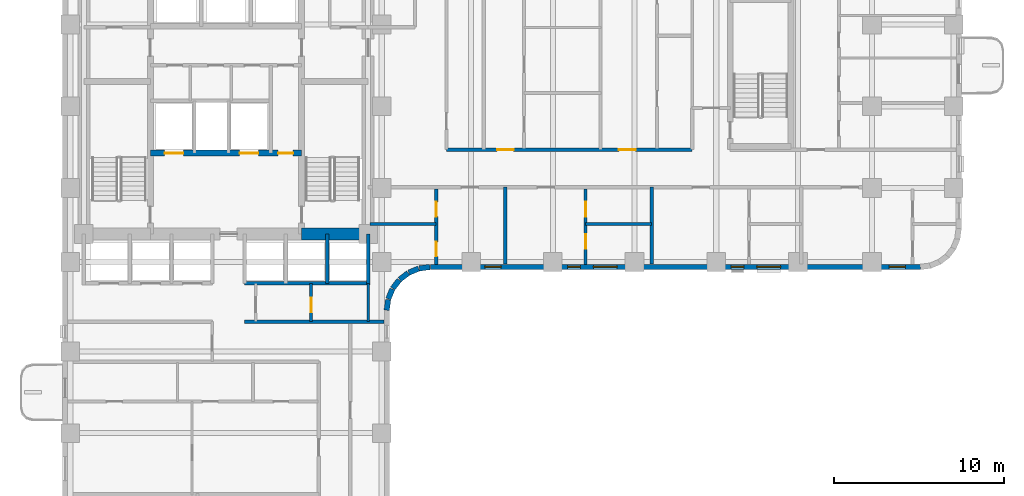
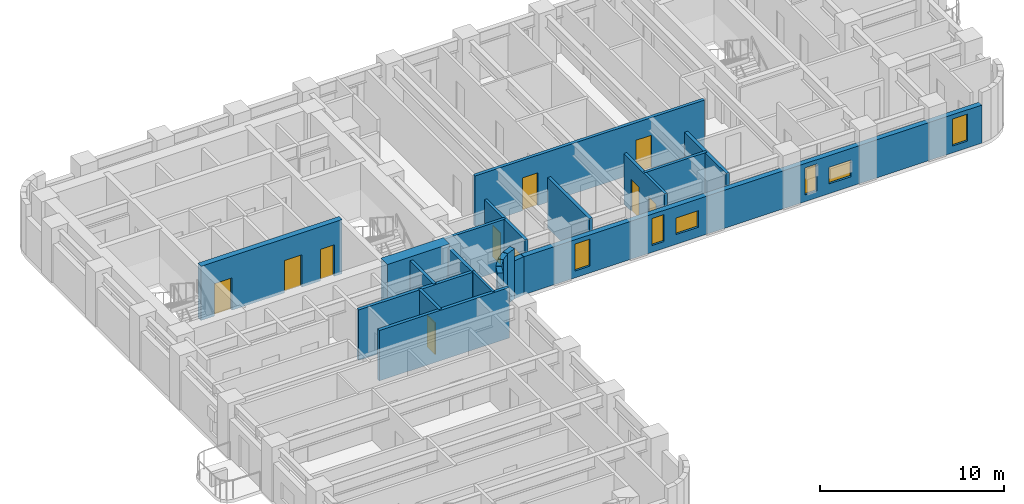
# One storey, part 4 of 11: 22 walls, 10 doors, 6 windows, 16 openings.
"""IFC4 building model written with IfcOpenShell, lengths in metres."""

from ifc_helpers import new_model, si_unit, direction, frame, frame_2d, origin, place, context, subcontext, project, spatial, rectangle, extrude, material, layer, layer_set, type_object, element, fill, save


model = new_model("IFC4")

# Units and contexts
model_context = context("Model", 3, precision=1e-05, world=origin(), true_north=direction((0.0, 1.0)))
body_context = subcontext(model_context, "Body", "Model", "MODEL_VIEW")
ifc_project = project(units=[si_unit("LENGTHUNIT", "METRE"), si_unit("AREAUNIT", "SQUARE_METRE"), si_unit("VOLUMEUNIT", "CUBIC_METRE"), si_unit("PLANEANGLEUNIT", "RADIAN"), si_unit("MASSUNIT", "GRAM", prefix="KILO")], contexts=[model_context])

# Site, building, storey
site_placement = place(None, origin())
site = spatial("IfcSite", under=ifc_project, at=site_placement, CompositionType="ELEMENT")
building_placement = place(site_placement, origin())
building = spatial("IfcBuilding", under=site, at=building_placement, Name="Orvandelia Arch Residences", CompositionType="ELEMENT")
storey_placement = place(building_placement, frame((0.0, 0.0, 82.60009765625)))
storey = spatial("IfcBuildingStorey", under=building, at=storey_placement, Name="L21", CompositionType="ELEMENT", Elevation=82.60009765625)

# Wall, openings, doors
ifc_material_1 = material(Name="Concrete C50/60", Category="concrete")
ifc_layer_1 = layer(ifc_material_1, 0.35009765625, Name="Concrete C50/60", Category="concrete")
ifc_layer_set_1 = layer_set([ifc_layer_1], Name="Concrete C50/60")
wall_type_1 = type_object("IfcWallType", Name="WL-CORE-350", PredefinedType="SHEAR", material=ifc_layer_set_1)
wall_1_placement = place(storey_placement, frame((9.9599609375, 35.64990234375, 0.0), z_axis=(0.0, 0.0, 1.0), x_axis=(1.0, 0.0, 0.0)))
wall_1 = element("IfcWall", 1, at=wall_1_placement, inside=storey, type_object=wall_type_1, Name="Core Shear Wall L21-HZ3", PredefinedType="SHEAR", context=body_context, shape_type="SweptSolid", body=[
    extrude(rectangle(XDim=8.880126953125, YDim=0.35009765625, at=frame_2d((4.43994140625, 0.0))), origin(), (0.0, 0.0, 1.0), 3.599853515625),
])
opening_1_placement = place(wall_1_placement, frame((0.840087890625, 0.0, 0.0)))
opening_1 = element("IfcOpeningElement", 2, at=opening_1_placement, cuts=wall_1, Name="Opening FLD", PredefinedType="OPENING", context=body_context, shape_type="SweptSolid", body=[
    extrude(rectangle(XDim=1.10009765625, YDim=2.14990234375, at=frame_2d((0.550048828125, 1.074951171875))), frame((0.0, 0.18505859375, 0.0), z_axis=(0.0, -1.0, 0.0), x_axis=(1.0, 0.0, 0.0)), (0.0, 0.0, 1.0), 0.3701171875),
])
opening_2_placement = place(wall_1_placement, frame((5.239990234375, 0.0, 0.0)))
opening_2 = element("IfcOpeningElement", 3, at=opening_2_placement, cuts=wall_1, Name="Opening FLD", PredefinedType="OPENING", context=body_context, shape_type="SweptSolid", body=[
    extrude(rectangle(XDim=1.10009765625, YDim=2.14990234375, at=frame_2d((0.550048828125, 1.074951171875))), frame((0.0, 0.18505859375, 0.0), z_axis=(0.0, -1.0, 0.0), x_axis=(1.0, 0.0, 0.0)), (0.0, 0.0, 1.0), 0.3701171875),
])
opening_3_placement = place(wall_1_placement, frame((7.5, 0.0, 0.0)))
opening_3 = element("IfcOpeningElement", 4, at=opening_3_placement, cuts=wall_1, Name="Opening D5", PredefinedType="OPENING", context=body_context, shape_type="SweptSolid", body=[
    extrude(rectangle(XDim=0.8798828125, YDim=2.10009765625, at=frame_2d((0.43994140625, 1.050048828125))), frame((0.0, 0.18505859375, 0.0), z_axis=(0.0, -1.0, 0.0), x_axis=(1.0, 0.0, 0.0)), (0.0, 0.0, 1.0), 0.3701171875),
])
ifc_material_2 = material(Name="Firefighting Lift Stainless Sliding Door")
door_type_1 = type_object("IfcDoorType", Name="DR-FLFT-1100", OperationType="NOTDEFINED", PredefinedType="DOOR", material=ifc_material_2)
door_1_placement = place(opening_1_placement, origin())
door_1 = element("IfcDoor", 5, at=door_1_placement, inside=storey, type_object=door_type_1, Name="Firefighting Lift Landing Door FLD-FL1-L21", OperationType="SLIDING_TO_LEFT", OverallHeight=2.14990234375, OverallWidth=1.10009765625, PredefinedType="DOOR", context=body_context, shape_type="SweptSolid", body=[
    extrude(rectangle(XDim=1.10009765625, YDim=2.14990234375, at=frame_2d((0.550048828125, 1.074951171875))), frame((0.0, 0.02490234375, 0.0), z_axis=(0.0, -1.0, 0.0), x_axis=(1.0, 0.0, 0.0)), (0.0, 0.0, 1.0), 0.050048828125),
])
fill(opening_1, door_1)
door_2_placement = place(opening_2_placement, origin())
door_2 = element("IfcDoor", 6, at=door_2_placement, inside=storey, type_object=door_type_1, Name="Firefighting Lift Landing Door FLD-FL2-L21", OperationType="SLIDING_TO_RIGHT", OverallHeight=2.14990234375, OverallWidth=1.10009765625, PredefinedType="DOOR", context=body_context, shape_type="SweptSolid", body=[
    extrude(rectangle(XDim=1.10009765625, YDim=2.14990234375, at=frame_2d((0.550048828125, 1.074951171875))), frame((0.0, 0.02490234375, 0.0), z_axis=(0.0, -1.0, 0.0), x_axis=(1.0, 0.0, 0.0)), (0.0, 0.0, 1.0), 0.050048828125),
])
fill(opening_2, door_2)
ifc_material_3 = material(Name="Painted Galvanised Steel Service Door", Category="steel")
door_type_2 = type_object("IfcDoorType", Name="DR-SRV-880", OperationType="NOTDEFINED", PredefinedType="DOOR", material=ifc_material_3)
door_3_placement = place(opening_3_placement, origin())
door_3 = element("IfcDoor", 7, at=door_3_placement, inside=storey, type_object=door_type_2, Name="Core Stairway Passage South Fire Door L21", OperationType="SINGLE_SWING_LEFT", OverallHeight=2.10009765625, OverallWidth=0.8798828125, PredefinedType="DOOR", context=body_context, shape_type="SweptSolid", body=[
    extrude(rectangle(XDim=0.8798828125, YDim=2.10009765625, at=frame_2d((0.43994140625, 1.050048828125))), frame((0.0, 0.02490234375, 0.0), z_axis=(0.0, -1.0, 0.0), x_axis=(1.0, 0.0, 0.0)), (0.0, 0.0, 1.0), 0.050048828125),
])
fill(opening_3, door_3)

# Walls
ifc_material_4 = material(Name="Concrete C80/95", Category="concrete")
ifc_layer_2 = layer(ifc_material_4, 0.699951171875, Name="Concrete C80/95", Category="concrete")
ifc_layer_set_2 = layer_set([ifc_layer_2], Name="Concrete C80/95")
wall_type_2 = type_object("IfcWallType", Name="WL-CORE-700", PredefinedType="SHEAR", material=ifc_layer_set_2)
wall_2_placement = place(storey_placement, frame((18.840087890625, 30.89990234375, 0.0), z_axis=(0.0, 0.0, 1.0), x_axis=(1.0, 0.0, 0.0)))
element("IfcWall", 8, at=wall_2_placement, inside=storey, type_object=wall_type_2, Name="Core Shear Wall L21-SE", PredefinedType="SHEAR", context=body_context, shape_type="SweptSolid", body=[
    extrude(rectangle(XDim=3.909912109375, YDim=0.699951171875, at=frame_2d((1.955078125, 0.0))), origin(), (0.0, 0.0, 1.0), 3.599853515625),
])
ifc_material_5 = material(Name="Fire-Rated Corridor Partition")
ifc_layer_3 = layer(ifc_material_5, 0.199951171875, Name="Fire-Rated Corridor Partition")
ifc_layer_set_3 = layer_set([ifc_layer_3], Name="Fire-Rated Corridor Partition")
wall_type_3 = type_object("IfcWallType", Name="WL-CORR-200", PredefinedType="PARTITIONING", material=ifc_layer_set_3)
wall_3_placement = place(storey_placement, frame((15.5, 25.75, 0.0), z_axis=(0.0, 0.0, 1.0), x_axis=(1.0, 0.0, 0.0)))
element("IfcWall", 9, at=wall_3_placement, inside=storey, type_object=wall_type_3, Name="Interior Partition Wall WL-L21-WLNK-NE", PredefinedType="PARTITIONING", context=body_context, shape_type="SweptSolid", body=[
    extrude(rectangle(XDim=8.179931640625, YDim=0.199951171875, at=frame_2d((4.08984375, 0.0))), origin(), (0.0, 0.0, 1.0), 3.349853515625),
])

# Wall, openings, doors
wall_4_placement = place(storey_placement, frame((27.35009765625, 35.85009765625, 0.0), z_axis=(0.0, 0.0, 1.0), x_axis=(1.0, 0.0, 0.0)))
wall_4 = element("IfcWall", 10, at=wall_4_placement, inside=storey, type_object=wall_type_3, Name="Interior Partition Wall WL-L21-ES-N1", PredefinedType="PARTITIONING", context=body_context, shape_type="SweptSolid", body=[
    extrude(rectangle(XDim=14.429931640625, YDim=0.199951171875, at=frame_2d((7.21484375, 0.0))), origin(), (0.0, 0.0, 1.0), 3.349853515625),
])
opening_4_placement = place(wall_4_placement, frame((2.969970703125, 0.0, 0.0)))
opening_4 = element("IfcOpeningElement", 11, at=opening_4_placement, cuts=wall_4, Name="Opening D1", PredefinedType="OPENING", context=body_context, shape_type="SweptSolid", body=[
    extrude(rectangle(XDim=0.97998046875, YDim=2.179931640625, at=frame_2d((0.489990234375, 1.08984375))), frame((0.0, 0.10986328125, 0.0), z_axis=(0.0, -1.0, 0.0), x_axis=(1.0, 0.0, 0.0)), (0.0, 0.0, 1.0), 0.219970703125),
])
opening_5_placement = place(wall_4_placement, frame((10.125, 0.0, 0.0)))
opening_5 = element("IfcOpeningElement", 12, at=opening_5_placement, cuts=wall_4, Name="Opening D1", PredefinedType="OPENING", context=body_context, shape_type="SweptSolid", body=[
    extrude(rectangle(XDim=0.97998046875, YDim=2.179931640625, at=frame_2d((0.489990234375, 1.08984375))), frame((0.0, 0.10986328125, 0.0), z_axis=(0.0, -1.0, 0.0), x_axis=(1.0, 0.0, 0.0)), (0.0, 0.0, 1.0), 0.219970703125),
])
ifc_material_6 = material(Name="Solid-Core Timber Acoustic Fire Door", Category="wood")
door_type_3 = type_object("IfcDoorType", Name="DR-ENT-980", OperationType="NOTDEFINED", PredefinedType="DOOR", material=ifc_material_6)
door_4_placement = place(opening_4_placement, origin())
door_4 = element("IfcDoor", 13, at=door_4_placement, inside=storey, type_object=door_type_3, Name="Unit L21-08 Entrance Door", OperationType="SINGLE_SWING_RIGHT", OverallHeight=2.179931640625, OverallWidth=0.97998046875, PredefinedType="DOOR", context=body_context, shape_type="SweptSolid", body=[
    extrude(rectangle(XDim=0.97998046875, YDim=2.179931640625, at=frame_2d((0.489990234375, 1.08984375))), frame((0.0, 0.02490234375, 0.0), z_axis=(0.0, -1.0, 0.0), x_axis=(1.0, 0.0, 0.0)), (0.0, 0.0, 1.0), 0.050048828125),
])
fill(opening_4, door_4)
door_5_placement = place(opening_5_placement, origin())
door_5 = element("IfcDoor", 14, at=door_5_placement, inside=storey, type_object=door_type_3, Name="Unit L21-09 Entrance Door", OperationType="SINGLE_SWING_LEFT", OverallHeight=2.179931640625, OverallWidth=0.97998046875, PredefinedType="DOOR", context=body_context, shape_type="SweptSolid", body=[
    extrude(rectangle(XDim=0.97998046875, YDim=2.179931640625, at=frame_2d((0.489990234375, 1.08984375))), frame((0.0, 0.02490234375, 0.0), z_axis=(0.0, -1.0, 0.0), x_axis=(1.0, 0.0, 0.0)), (0.0, 0.0, 1.0), 0.050048828125),
])
fill(opening_5, door_5)

# Walls
ifc_material_7 = material(Name="Concrete C40/50", Category="concrete")
ifc_layer_4 = layer(ifc_material_7, 0.199951171875, Name="Concrete C40/50", Category="concrete")
ifc_layer_set_4 = layer_set([ifc_layer_4], Name="Concrete C40/50")
wall_type_4 = type_object("IfcWallType", Name="WL-DEM-200", PredefinedType="SOLIDWALL", material=ifc_layer_set_4)
for number, where, z_axis, x_axis, name in (
    (15, (30.800048828125, 29.1201171875, 0.0), (0.0, 0.0, 1.0), (0.0, 1.0, 0.0), "Interior Partition Wall WL-L21-DEM-ESS-308"),
    (16, (39.39990234375, 29.1201171875, 0.0), (0.0, 0.0, 1.0), (0.0, 1.0, 0.0), "Interior Partition Wall WL-L21-DEM-ESS-394"),
):
    element("IfcWall", number, at=place(storey_placement, frame(where, z_axis=z_axis, x_axis=x_axis)), inside=storey, type_object=wall_type_4, Name=name, PredefinedType="SOLIDWALL", context=body_context, shape_type="SweptSolid", body=[
        extrude(rectangle(XDim=4.52978515625, YDim=0.199951171875, at=frame_2d((2.264892578125, 0.0))), origin(), (0.0, 0.0, 1.0), 3.349853515625),
    ])

# Wall, openings, windows
ifc_material_8 = material(Name="Precast concrete C40/50", Category="concrete")
ifc_layer_5 = layer(ifc_material_8, 0.320068359375, Name="Precast concrete C40/50", Category="concrete")
ifc_layer_set_5 = layer_set([ifc_layer_5], Name="Precast concrete C40/50")
wall_type_5 = type_object("IfcWallType", Name="WL-EXT-STONE-320", PredefinedType="STANDARD", material=ifc_layer_set_5)
wall_5_placement = place(storey_placement, frame((55.199951171875, 28.9599609375, 0.0), z_axis=(0.0, 0.0, 1.0), x_axis=(-1.0, 0.0, 0.0)))
wall_5 = element("IfcWall", 17, at=wall_5_placement, inside=storey, type_object=wall_type_5, Name="Coral-Limestone Precast Facade Wall L21-021", PredefinedType="STANDARD", context=body_context, shape_type="SweptSolid", body=[
    extrude(rectangle(XDim=28.800048828125, YDim=0.320068359375, at=frame_2d((14.39990234375, 0.0))), origin(), (0.0, 0.0, 1.0), 2.52978515625),
])
opening_6_placement = place(wall_5_placement, frame((24.639892578125, 0.0, 0.449951171875)))
opening_6 = element("IfcOpeningElement", 18, at=opening_6_placement, cuts=wall_5, Name="Opening W4", PredefinedType="OPENING", context=body_context, shape_type="SweptSolid", body=[
    extrude(rectangle(XDim=0.949951171875, YDim=1.800048828125, at=frame_2d((0.47509765625, 0.89990234375))), frame((0.0, 0.169921875, 0.0), z_axis=(0.0, -1.0, 0.0), x_axis=(1.0, 0.0, 0.0)), (0.0, 0.0, 1.0), 0.340087890625),
])
opening_7_placement = place(wall_5_placement, frame((19.97900390625, 0.0, 0.449951171875)))
opening_7 = element("IfcOpeningElement", 19, at=opening_7_placement, cuts=wall_5, Name="Opening W11", PredefinedType="OPENING", context=body_context, shape_type="SweptSolid", body=[
    extrude(rectangle(XDim=0.75, YDim=1.800048828125, at=frame_2d((0.375, 0.89990234375))), frame((0.0, 0.169921875, 0.0), z_axis=(0.0, -1.0, 0.0), x_axis=(1.0, 0.0, 0.0)), (0.0, 0.0, 1.0), 0.340087890625),
])
opening_8_placement = place(wall_5_placement, frame((10.3740234375, 0.0, 0.449951171875)))
opening_8 = element("IfcOpeningElement", 20, at=opening_8_placement, cuts=wall_5, Name="Opening W11", PredefinedType="OPENING", context=body_context, shape_type="SweptSolid", body=[
    extrude(rectangle(XDim=0.75, YDim=1.800048828125, at=frame_2d((0.375, 0.89990234375))), frame((0.0, 0.169921875, 0.0), z_axis=(0.0, -1.0, 0.0), x_axis=(1.0, 0.0, 0.0)), (0.0, 0.0, 1.0), 0.340087890625),
])
opening_9_placement = place(wall_5_placement, frame((0.89990234375, 0.0, 0.449951171875)))
opening_9 = element("IfcOpeningElement", 21, at=opening_9_placement, cuts=wall_5, Name="Opening W4", PredefinedType="OPENING", context=body_context, shape_type="SweptSolid", body=[
    extrude(rectangle(XDim=0.949951171875, YDim=1.800048828125, at=frame_2d((0.47509765625, 0.89990234375))), frame((0.0, 0.169921875, 0.0), z_axis=(0.0, -1.0, 0.0), x_axis=(1.0, 0.0, 0.0)), (0.0, 0.0, 1.0), 0.340087890625),
])
opening_10_placement = place(wall_5_placement, frame((17.823974609375, 0.0, 0.64990234375)))
opening_10 = element("IfcOpeningElement", 22, at=opening_10_placement, cuts=wall_5, Name="Opening W10", PredefinedType="OPENING", context=body_context, shape_type="SweptSolid", body=[
    extrude(rectangle(XDim=1.39990234375, YDim=1.10009765625, at=frame_2d((0.699951171875, 0.550048828125))), frame((0.0, 0.169921875, 0.0), z_axis=(0.0, -1.0, 0.0), x_axis=(1.0, 0.0, 0.0)), (0.0, 0.0, 1.0), 0.340087890625),
])
opening_11_placement = place(wall_5_placement, frame((8.218994140625, 0.0, 0.64990234375)))
opening_11 = element("IfcOpeningElement", 23, at=opening_11_placement, cuts=wall_5, Name="Opening W10", PredefinedType="OPENING", context=body_context, shape_type="SweptSolid", body=[
    extrude(rectangle(XDim=1.39990234375, YDim=1.10009765625, at=frame_2d((0.699951171875, 0.550048828125))), frame((0.0, 0.169921875, 0.0), z_axis=(0.0, -1.0, 0.0), x_axis=(1.0, 0.0, 0.0)), (0.0, 0.0, 1.0), 0.340087890625),
])
ifc_material_9 = material(Name="Tempered Low-E Insulated Glazing", Category="glass")
window_type_1 = type_object("IfcWindowType", Name="WIN-BED-0750x1800", PartitioningType="SINGLE_PANEL", PredefinedType="WINDOW", material=ifc_material_9)
window_1_placement = place(opening_7_placement, origin())
window_1 = element("IfcWindow", 24, at=window_1_placement, inside=storey, type_object=window_type_1, Name="Recessed Punched Window L21-017", OverallHeight=1.800048828125, OverallWidth=0.75, PartitioningType="SINGLE_PANEL", PredefinedType="WINDOW", context=body_context, shape_type="SweptSolid", body=[
    extrude(rectangle(XDim=0.75, YDim=1.800048828125, at=frame_2d((0.375, 0.89990234375))), frame((0.0, 0.030029296875, 0.0), z_axis=(0.0, -1.0, 0.0), x_axis=(1.0, 0.0, 0.0)), (0.0, 0.0, 1.0), 0.06005859375),
])
fill(opening_7, window_1)
window_2_placement = place(opening_8_placement, origin())
window_2 = element("IfcWindow", 25, at=window_2_placement, inside=storey, type_object=window_type_1, Name="Recessed Punched Window L21-018", OverallHeight=1.800048828125, OverallWidth=0.75, PartitioningType="SINGLE_PANEL", PredefinedType="WINDOW", context=body_context, shape_type="SweptSolid", body=[
    extrude(rectangle(XDim=0.75, YDim=1.800048828125, at=frame_2d((0.375, 0.89990234375))), frame((0.0, 0.030029296875, 0.0), z_axis=(0.0, -1.0, 0.0), x_axis=(1.0, 0.0, 0.0)), (0.0, 0.0, 1.0), 0.06005859375),
])
fill(opening_8, window_2)
window_type_2 = type_object("IfcWindowType", Name="WIN-CLR-1400x1100", PartitioningType="SINGLE_PANEL", PredefinedType="WINDOW", material=ifc_material_9)
window_3_placement = place(opening_10_placement, origin())
window_3 = element("IfcWindow", 26, at=window_3_placement, inside=storey, type_object=window_type_2, Name="Recessed Punched Window L21-020", OverallHeight=1.10009765625, OverallWidth=1.39990234375, PartitioningType="SINGLE_PANEL", PredefinedType="WINDOW", context=body_context, shape_type="SweptSolid", body=[
    extrude(rectangle(XDim=1.39990234375, YDim=1.10009765625, at=frame_2d((0.699951171875, 0.550048828125))), frame((0.0, 0.030029296875, 0.0), z_axis=(0.0, -1.0, 0.0), x_axis=(1.0, 0.0, 0.0)), (0.0, 0.0, 1.0), 0.06005859375),
])
fill(opening_10, window_3)
window_4_placement = place(opening_11_placement, origin())
window_4 = element("IfcWindow", 27, at=window_4_placement, inside=storey, type_object=window_type_2, Name="Recessed Punched Window L21-021", OverallHeight=1.10009765625, OverallWidth=1.39990234375, PartitioningType="SINGLE_PANEL", PredefinedType="WINDOW", context=body_context, shape_type="SweptSolid", body=[
    extrude(rectangle(XDim=1.39990234375, YDim=1.10009765625, at=frame_2d((0.699951171875, 0.550048828125))), frame((0.0, 0.030029296875, 0.0), z_axis=(0.0, -1.0, 0.0), x_axis=(1.0, 0.0, 0.0)), (0.0, 0.0, 1.0), 0.06005859375),
])
fill(opening_11, window_4)
window_type_3 = type_object("IfcWindowType", Name="WIN-RES-0950x1800", PartitioningType="SINGLE_PANEL", PredefinedType="WINDOW", material=ifc_material_9)
window_5_placement = place(opening_6_placement, origin())
window_5 = element("IfcWindow", 28, at=window_5_placement, inside=storey, type_object=window_type_3, Name="Recessed Punched Window L21-016", OverallHeight=1.800048828125, OverallWidth=0.949951171875, PartitioningType="SINGLE_PANEL", PredefinedType="WINDOW", context=body_context, shape_type="SweptSolid", body=[
    extrude(rectangle(XDim=0.949951171875, YDim=1.800048828125, at=frame_2d((0.47509765625, 0.89990234375))), frame((0.0, 0.030029296875, 0.0), z_axis=(0.0, -1.0, 0.0), x_axis=(1.0, 0.0, 0.0)), (0.0, 0.0, 1.0), 0.06005859375),
])
fill(opening_6, window_5)
window_6_placement = place(opening_9_placement, origin())
window_6 = element("IfcWindow", 29, at=window_6_placement, inside=storey, type_object=window_type_3, Name="Recessed Punched Window L21-019", OverallHeight=1.800048828125, OverallWidth=0.949951171875, PartitioningType="SINGLE_PANEL", PredefinedType="WINDOW", context=body_context, shape_type="SweptSolid", body=[
    extrude(rectangle(XDim=0.949951171875, YDim=1.800048828125, at=frame_2d((0.47509765625, 0.89990234375))), frame((0.0, 0.030029296875, 0.0), z_axis=(0.0, -1.0, 0.0), x_axis=(1.0, 0.0, 0.0)), (0.0, 0.0, 1.0), 0.06005859375),
])
fill(opening_9, window_6)

# Walls
wall_6_placement = place(storey_placement, frame((26.379150390625, 28.95849609375, 0.0), z_axis=(0.0, 0.0, 1.0), x_axis=(-0.991447664465, -0.130504898859, 0.0)))
element("IfcWall", 30, at=wall_6_placement, inside=storey, type_object=wall_type_5, Name="Coral-Limestone Precast Facade Wall L21-022", PredefinedType="STANDARD", context=body_context, shape_type="SweptSolid", body=[
    extrude(rectangle(XDim=0.626708984375, YDim=0.320068359375, at=frame_2d((0.3134765625, 0.0))), origin(), (0.0, 0.0, 1.0), 2.52978515625),
])
wall_7_placement = place(storey_placement, frame((25.717529296875, 28.865966796875, 0.0), z_axis=(0.0, 0.0, 1.0), x_axis=(-0.923836271867, -0.382787856107, 0.0)))
element("IfcWall", 31, at=wall_7_placement, inside=storey, type_object=wall_type_5, Name="Coral-Limestone Precast Facade Wall L21-023", PredefinedType="STANDARD", context=body_context, shape_type="SweptSolid", body=[
    extrude(rectangle(XDim=0.626220703125, YDim=0.320068359375, at=frame_2d((0.31298828125, 0.0))), origin(), (0.0, 0.0, 1.0), 3.349853515625),
])
for number, where, z_axis, x_axis, name in (
    (32, (25.1025390625, 28.60546875, 0.0), (0.0, 0.0, 1.0), (-0.793405610854, -0.608693302629, 0.0), "Coral-Limestone Precast Facade Wall L21-024"),
    (33, (24.575927734375, 28.194580078125, 0.0), (0.0, 0.0, 1.0), (-0.608693302629, -0.793405610854, 0.0), "Coral-Limestone Precast Facade Wall L21-025"),
):
    element("IfcWall", number, at=place(storey_placement, frame(where, z_axis=z_axis, x_axis=x_axis)), inside=storey, type_object=wall_type_5, Name=name, PredefinedType="STANDARD", context=body_context, shape_type="SweptSolid", body=[
        extrude(rectangle(XDim=0.62646484375, YDim=0.320068359375, at=frame_2d((0.313232421875, 0.0))), origin(), (0.0, 0.0, 1.0), 3.349853515625),
    ])
wall_8_placement = place(storey_placement, frame((24.173583984375, 27.6611328125, 0.0), z_axis=(0.0, 0.0, 1.0), x_axis=(-0.382455093999, -0.923974080304, 0.0)))
element("IfcWall", 34, at=wall_8_placement, inside=storey, type_object=wall_type_5, Name="Coral-Limestone Precast Facade Wall L21-026", PredefinedType="STANDARD", context=body_context, shape_type="SweptSolid", body=[
    extrude(rectangle(XDim=0.626220703125, YDim=0.320068359375, at=frame_2d((0.31298828125, 0.0))), origin(), (0.0, 0.0, 1.0), 3.349853515625),
])
wall_9_placement = place(storey_placement, frame((23.923095703125, 27.0419921875, 0.0), z_axis=(0.0, 0.0, 1.0), x_axis=(-0.130555323746, -0.9914410257, 0.0)))
element("IfcWall", 35, at=wall_9_placement, inside=storey, type_object=wall_type_5, Name="Coral-Limestone Precast Facade Wall L21-027", PredefinedType="STANDARD", context=body_context, shape_type="SweptSolid", body=[
    extrude(rectangle(XDim=0.62646484375, YDim=0.320068359375, at=frame_2d((0.313232421875, 0.0))), origin(), (0.0, 0.0, 1.0), 2.52978515625),
])
ifc_material_10 = material(Name="Acoustic Gypsum Stud Partition")
ifc_layer_6 = layer(ifc_material_10, 0.14990234375, Name="Acoustic Gypsum Stud Partition")
ifc_layer_set_6 = layer_set([ifc_layer_6], Name="Acoustic Gypsum Stud Partition")
wall_type_6 = type_object("IfcWallType", Name="WL-PART-150", PredefinedType="PARTITIONING", material=ifc_layer_set_6)
wall_10_placement = place(storey_placement, frame((22.75, 25.75, 0.0), z_axis=(0.0, 0.0, 1.0), x_axis=(0.0, 1.0, 0.0)))
element("IfcWall", 36, at=wall_10_placement, inside=storey, type_object=wall_type_6, Name="Interior Partition Wall WL-L21-HLS-EE", PredefinedType="PARTITIONING", context=body_context, shape_type="SweptSolid", body=[
    extrude(rectangle(XDim=2.25, YDim=0.14990234375, at=frame_2d((1.125, 0.0))), origin(), (0.0, 0.0, 1.0), 3.349853515625),
])
ifc_material_11 = material(Name="Fire-Rated Shaft Enclosure Wall")
ifc_layer_7 = layer(ifc_material_11, 0.199951171875, Name="Fire-Rated Shaft Enclosure Wall")
ifc_layer_set_7 = layer_set([ifc_layer_7], Name="Fire-Rated Shaft Enclosure Wall")
wall_type_7 = type_object("IfcWallType", Name="WL-SHAFT-200", PredefinedType="POLYGONAL", material=ifc_layer_set_7)
wall_11_placement = place(storey_placement, frame((15.5, 28.0, 0.0), z_axis=(0.0, 0.0, 1.0), x_axis=(1.0, 0.0, 0.0)))
element("IfcWall", 37, at=wall_11_placement, inside=storey, type_object=wall_type_7, Name="Interior Partition Wall WL-L21-BNKM-S", PredefinedType="POLYGONAL", context=body_context, shape_type="SweptSolid", body=[
    extrude(rectangle(XDim=7.25, YDim=0.199951171875, at=frame_2d((3.625, 0.0))), origin(), (0.0, 0.0, 1.0), 3.349853515625),
])
wall_12_placement = place(storey_placement, frame((22.75, 27.89990234375, 0.0), z_axis=(0.0, 0.0, 1.0), x_axis=(0.0, 1.0, 0.0)))
element("IfcWall", 38, at=wall_12_placement, inside=storey, type_object=wall_type_7, Name="Interior Partition Wall WL-L21-BNKM-E", PredefinedType="POLYGONAL", context=body_context, shape_type="SweptSolid", body=[
    extrude(rectangle(XDim=3.0, YDim=0.199951171875, at=frame_2d((1.5, 0.0))), origin(), (0.0, 0.0, 1.0), 3.349853515625),
])
wall_13_placement = place(storey_placement, frame((20.35009765625, 28.0, 0.0), z_axis=(0.0, 0.0, 1.0), x_axis=(0.0, 1.0, 0.0)))
element("IfcWall", 39, at=wall_13_placement, inside=storey, type_object=wall_type_7, Name="Interior Partition Wall WL-L21-BNKD-2035", PredefinedType="POLYGONAL", context=body_context, shape_type="SweptSolid", body=[
    extrude(rectangle(XDim=2.89990234375, YDim=0.199951171875, at=frame_2d((1.449951171875, 0.0))), origin(), (0.0, 0.0, 1.0), 3.349853515625),
])

# Wall, opening, door
ifc_material_12 = material(Name="Moisture-Resistant Plumbing Wall")
ifc_layer_8 = layer(ifc_material_12, 0.179931640625, Name="Moisture-Resistant Plumbing Wall")
ifc_layer_set_8 = layer_set([ifc_layer_8], Name="Moisture-Resistant Plumbing Wall")
wall_type_8 = type_object("IfcWallType", Name="WL-WET-180", PredefinedType="PLUMBINGWALL", material=ifc_layer_set_8)
wall_14_placement = place(storey_placement, frame((19.39990234375, 25.75, 0.0), z_axis=(0.0, 0.0, 1.0), x_axis=(0.0, 1.0, 0.0)))
wall_14 = element("IfcWall", 40, at=wall_14_placement, inside=storey, type_object=wall_type_8, Name="Interior Partition Wall WL-L21-HLS-ZM2", PredefinedType="PLUMBINGWALL", context=body_context, shape_type="SweptSolid", body=[
    extrude(rectangle(XDim=2.25, YDim=0.179931640625, at=frame_2d((1.125, 0.0))), origin(), (0.0, 0.0, 1.0), 3.349853515625),
])
opening_12_placement = place(wall_14_placement, frame((0.550048828125, 0.0, 0.0)))
opening_12 = element("IfcOpeningElement", 41, at=opening_12_placement, cuts=wall_14, Name="Opening D4", PredefinedType="OPENING", context=body_context, shape_type="SweptSolid", body=[
    extrude(rectangle(XDim=0.860107421875, YDim=2.10009765625, at=frame_2d((0.43017578125, 1.050048828125))), frame((0.0, 0.10009765625, 0.0), z_axis=(0.0, -1.0, 0.0), x_axis=(1.0, 0.0, 0.0)), (0.0, 0.0, 1.0), 0.199951171875),
])
ifc_material_13 = material(Name="Moisture-Sealed Timber Bathroom Door", Category="wood")
door_type_4 = type_object("IfcDoorType", Name="DR-WET-900", OperationType="NOTDEFINED", PredefinedType="DOOR", material=ifc_material_13)
door_6_placement = place(opening_12_placement, origin())
door_6 = element("IfcDoor", 42, at=door_6_placement, inside=storey, type_object=door_type_4, Name="DR-L21-CSZ1B", OperationType="SINGLE_SWING_LEFT", OverallHeight=2.10009765625, OverallWidth=0.860107421875, PredefinedType="DOOR", context=body_context, shape_type="SweptSolid", body=[
    extrude(rectangle(XDim=0.860107421875, YDim=2.10009765625, at=frame_2d((0.43017578125, 1.050048828125))), frame((0.0, 0.02490234375, 0.0), z_axis=(0.0, -1.0, 0.0), x_axis=(1.0, 0.0, 0.0)), (0.0, 0.0, 1.0), 0.050048828125),
])
fill(opening_12, door_6)

# Wall, openings, doors
wall_15_placement = place(storey_placement, frame((26.75, 29.1201171875, 0.0), z_axis=(0.0, 0.0, 1.0), x_axis=(0.0, 1.0, 0.0)))
wall_15 = element("IfcWall", 43, at=wall_15_placement, inside=storey, type_object=wall_type_8, Name="Interior Partition Wall WL-L21-U04-VT", PredefinedType="PLUMBINGWALL", context=body_context, shape_type="SweptSolid", body=[
    extrude(rectangle(XDim=4.429931640625, YDim=0.179931640625, at=frame_2d((2.21484375, 0.0))), origin(), (0.0, 0.0, 1.0), 3.349853515625),
])
opening_13_placement = place(wall_15_placement, frame((0.458740234375, 0.0, 0.0)))
opening_13 = element("IfcOpeningElement", 44, at=opening_13_placement, cuts=wall_15, Name="Opening D4", PredefinedType="OPENING", context=body_context, shape_type="SweptSolid", body=[
    extrude(rectangle(XDim=0.860107421875, YDim=2.10009765625, at=frame_2d((0.43017578125, 1.050048828125))), frame((0.0, 0.10009765625, 0.0), z_axis=(0.0, -1.0, 0.0), x_axis=(1.0, 0.0, 0.0)), (0.0, 0.0, 1.0), 0.199951171875),
])
opening_14_placement = place(wall_15_placement, frame((2.79931640625, 0.0, 0.0)))
opening_14 = element("IfcOpeningElement", 45, at=opening_14_placement, cuts=wall_15, Name="Opening D4", PredefinedType="OPENING", context=body_context, shape_type="SweptSolid", body=[
    extrude(rectangle(XDim=0.860107421875, YDim=2.10009765625, at=frame_2d((0.43017578125, 1.050048828125))), frame((0.0, 0.10009765625, 0.0), z_axis=(0.0, -1.0, 0.0), x_axis=(1.0, 0.0, 0.0)), (0.0, 0.0, 1.0), 0.199951171875),
])
door_7_placement = place(opening_13_placement, origin())
door_7 = element("IfcDoor", 46, at=door_7_placement, inside=storey, type_object=door_type_4, Name="DR-L21-U04-KIT", OperationType="SINGLE_SWING_RIGHT", OverallHeight=2.10009765625, OverallWidth=0.860107421875, PredefinedType="DOOR", context=body_context, shape_type="SweptSolid", body=[
    extrude(rectangle(XDim=0.860107421875, YDim=2.10009765625, at=frame_2d((0.43017578125, 1.050048828125))), frame((0.0, 0.02490234375, 0.0), z_axis=(0.0, -1.0, 0.0), x_axis=(1.0, 0.0, 0.0)), (0.0, 0.0, 1.0), 0.050048828125),
])
fill(opening_13, door_7)
door_8_placement = place(opening_14_placement, origin())
door_8 = element("IfcDoor", 47, at=door_8_placement, inside=storey, type_object=door_type_4, Name="DR-L21-U04-BTH", OperationType="SINGLE_SWING_LEFT", OverallHeight=2.10009765625, OverallWidth=0.860107421875, PredefinedType="DOOR", context=body_context, shape_type="SweptSolid", body=[
    extrude(rectangle(XDim=0.860107421875, YDim=2.10009765625, at=frame_2d((0.43017578125, 1.050048828125))), frame((0.0, 0.02490234375, 0.0), z_axis=(0.0, -1.0, 0.0), x_axis=(1.0, 0.0, 0.0)), (0.0, 0.0, 1.0), 0.050048828125),
])
fill(opening_14, door_8)

# Wall
wall_16_placement = place(storey_placement, frame((22.85009765625, 31.485107421875, 0.0), z_axis=(0.0, 0.0, 1.0), x_axis=(1.0, 0.0, 0.0)))
element("IfcWall", 48, at=wall_16_placement, inside=storey, type_object=wall_type_8, Name="Interior Partition Wall WL-L21-U04-H1", PredefinedType="PLUMBINGWALL", context=body_context, shape_type="SweptSolid", body=[
    extrude(rectangle(XDim=3.89990234375, YDim=0.179931640625, at=frame_2d((1.949951171875, 0.0))), origin(), (0.0, 0.0, 1.0), 3.349853515625),
])

# Wall, openings, doors
wall_17_placement = place(storey_placement, frame((35.52197265625, 29.1201171875, 0.0), z_axis=(0.0, 0.0, 1.0), x_axis=(0.0, 1.0, 0.0)))
wall_17 = element("IfcWall", 49, at=wall_17_placement, inside=storey, type_object=wall_type_8, Name="Interior Partition Wall WL-L21-U05-VT", PredefinedType="PLUMBINGWALL", context=body_context, shape_type="SweptSolid", body=[
    extrude(rectangle(XDim=4.429931640625, YDim=0.179931640625, at=frame_2d((2.21484375, 0.0))), origin(), (0.0, 0.0, 1.0), 3.349853515625),
])
opening_15_placement = place(wall_17_placement, frame((0.90869140625, 0.0, 0.0)))
opening_15 = element("IfcOpeningElement", 50, at=opening_15_placement, cuts=wall_17, Name="Opening D4", PredefinedType="OPENING", context=body_context, shape_type="SweptSolid", body=[
    extrude(rectangle(XDim=0.860107421875, YDim=2.10009765625, at=frame_2d((0.43017578125, 1.050048828125))), frame((0.0, 0.10009765625, 0.0), z_axis=(0.0, -1.0, 0.0), x_axis=(1.0, 0.0, 0.0)), (0.0, 0.0, 1.0), 0.199951171875),
])
opening_16_placement = place(wall_17_placement, frame((2.79931640625, 0.0, 0.0)))
opening_16 = element("IfcOpeningElement", 51, at=opening_16_placement, cuts=wall_17, Name="Opening D4", PredefinedType="OPENING", context=body_context, shape_type="SweptSolid", body=[
    extrude(rectangle(XDim=0.860107421875, YDim=2.10009765625, at=frame_2d((0.43017578125, 1.050048828125))), frame((0.0, 0.10009765625, 0.0), z_axis=(0.0, -1.0, 0.0), x_axis=(1.0, 0.0, 0.0)), (0.0, 0.0, 1.0), 0.199951171875),
])
door_9_placement = place(opening_15_placement, origin())
door_9 = element("IfcDoor", 52, at=door_9_placement, inside=storey, type_object=door_type_4, Name="DR-L21-U05-KIT", OperationType="SINGLE_SWING_LEFT", OverallHeight=2.10009765625, OverallWidth=0.860107421875, PredefinedType="DOOR", context=body_context, shape_type="SweptSolid", body=[
    extrude(rectangle(XDim=0.860107421875, YDim=2.10009765625, at=frame_2d((0.43017578125, 1.050048828125))), frame((0.0, 0.02490234375, 0.0), z_axis=(0.0, -1.0, 0.0), x_axis=(1.0, 0.0, 0.0)), (0.0, 0.0, 1.0), 0.050048828125),
])
fill(opening_15, door_9)
door_10_placement = place(opening_16_placement, origin())
door_10 = element("IfcDoor", 53, at=door_10_placement, inside=storey, type_object=door_type_4, Name="DR-L21-U05-BTH", OperationType="SINGLE_SWING_RIGHT", OverallHeight=2.10009765625, OverallWidth=0.860107421875, PredefinedType="DOOR", context=body_context, shape_type="SweptSolid", body=[
    extrude(rectangle(XDim=0.860107421875, YDim=2.10009765625, at=frame_2d((0.43017578125, 1.050048828125))), frame((0.0, 0.02490234375, 0.0), z_axis=(0.0, -1.0, 0.0), x_axis=(1.0, 0.0, 0.0)), (0.0, 0.0, 1.0), 0.050048828125),
])
fill(opening_16, door_10)

# Wall
wall_18_placement = place(storey_placement, frame((35.52197265625, 31.485107421875, 0.0), z_axis=(0.0, 0.0, 1.0), x_axis=(1.0, 0.0, 0.0)))
element("IfcWall", 54, at=wall_18_placement, inside=storey, type_object=wall_type_8, Name="Interior Partition Wall WL-L21-U05-H1", PredefinedType="PLUMBINGWALL", context=body_context, shape_type="SweptSolid", body=[
    extrude(rectangle(XDim=3.8779296875, YDim=0.179931640625, at=frame_2d((1.93896484375, 0.0))), origin(), (0.0, 0.0, 1.0), 3.349853515625),
])

save(model, "model.ifc")
